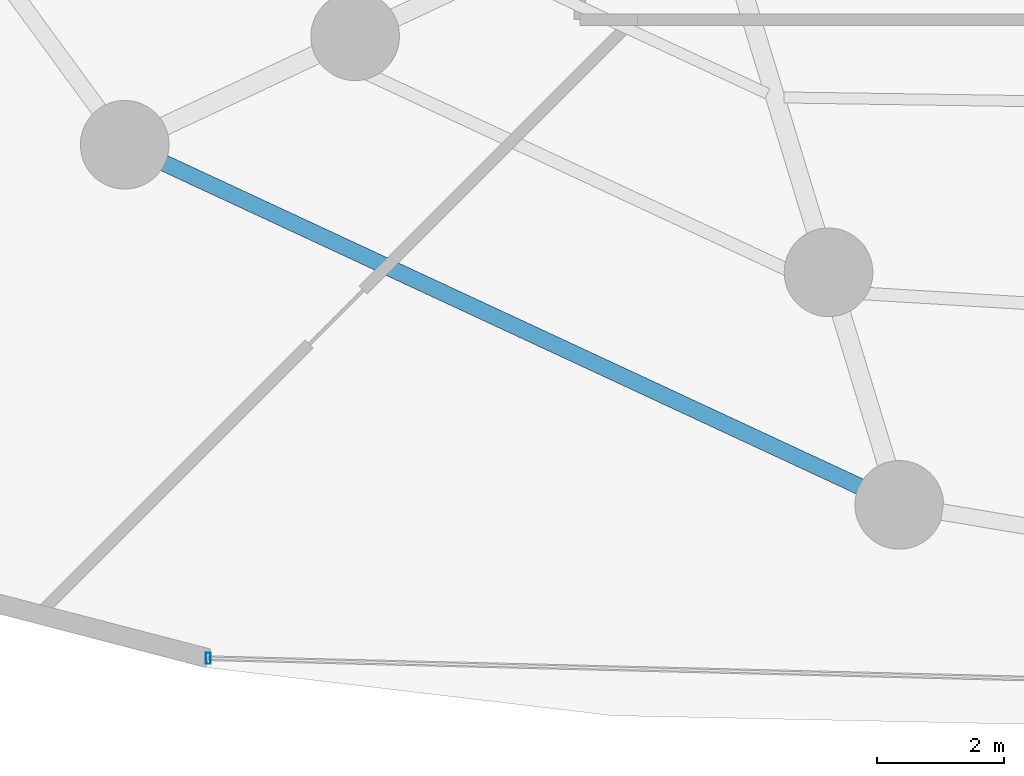
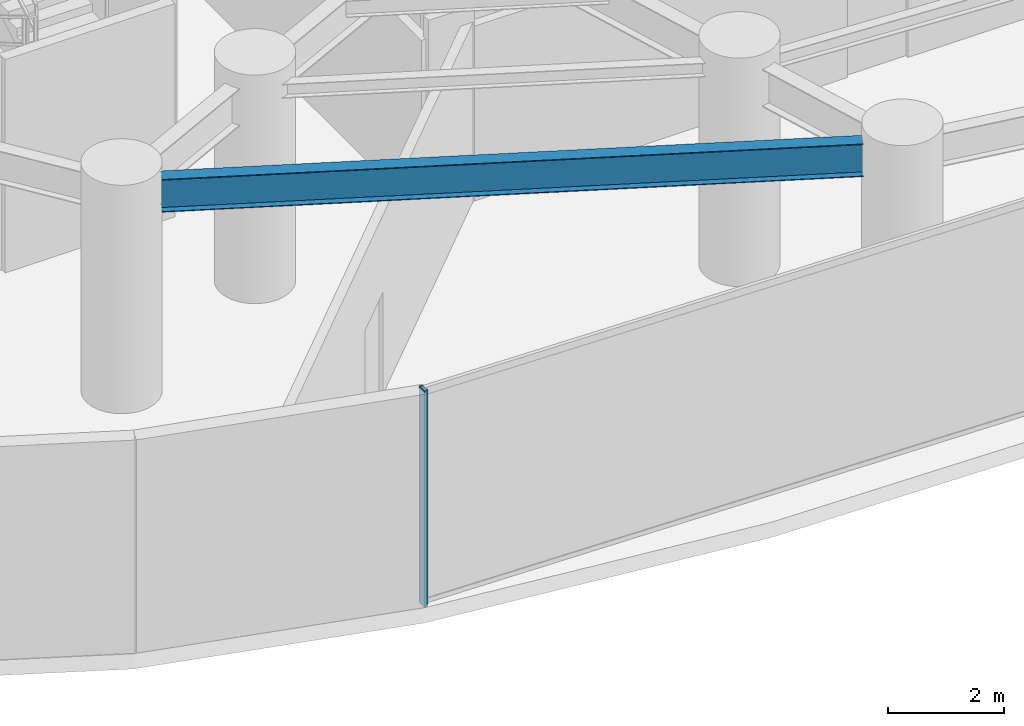
# One storey, part 4 of 26: 1 beam, 1 member, 1 element without a shape of its own.
"""IFC4 building model written with IfcOpenShell, lengths in metres."""

from ifc_helpers import new_model, si_unit, direction, frame, origin, origin_2d, place, context, subcontext, project, spatial, hollow_rectangle, i_section, extrude, material, material_profile, profile_set, type_object, element, aggregate, save


model = new_model("IFC4")

# Units and contexts
model_context = context("Model", 3, precision=1e-05, world=origin(), true_north=direction((0.0, 1.0)))
body_context = subcontext(model_context, "Body", "Model", "MODEL_VIEW")
ifc_project = project(units=[si_unit("LENGTHUNIT", "METRE"), si_unit("AREAUNIT", "SQUARE_METRE"), si_unit("VOLUMEUNIT", "CUBIC_METRE"), si_unit("PLANEANGLEUNIT", "RADIAN"), si_unit("MASSUNIT", "GRAM", prefix="KILO")], contexts=[model_context])

# Site, building, storey
site_placement = place(None, origin())
site = spatial("IfcSite", under=ifc_project, at=site_placement, CompositionType="ELEMENT")
building_placement = place(site_placement, origin())
building = spatial("IfcBuilding", under=site, at=building_placement, Name="Vorneva Point Tower", CompositionType="ELEMENT")
storey_placement = place(building_placement, frame((0.0, 0.0, 14.39990234375)))
storey = spatial("IfcBuildingStorey", under=building, at=storey_placement, Name="L03", CompositionType="ELEMENT", Elevation=14.39990234375)

# Beam
ifc_material_1 = material(Name="Steel S355", Category="steel")
ifc_material_profile_1 = material_profile(ifc_material_1, i_section(OverallWidth=0.260009765625, OverallDepth=0.69091796875, WebThickness=0.011962890625, FlangeThickness=0.015380859375, at=origin_2d()), Name="70B1")
ifc_profile_set_1 = profile_set([ifc_material_profile_1], Name="Steel S355")
beam_type = type_object("IfcBeamType", Name="BM-SPN-70B1", PredefinedType="SPANDREL", material=ifc_profile_set_1)
beam_placement = place(storey_placement, frame((18.682373046875, 11.83544921875, 4.134521484375), z_axis=(0.906780557897, -0.421602917234, 0.0), x_axis=(0.421602917234, 0.906780557897, 0.0)))
element("IfcBeam", 1, at=beam_placement, inside=storey, type_object=beam_type, Name="L03 Perimeter Spandrel Ring Beam 11", PredefinedType="SPANDREL", context=body_context, shape_type="SweptSolid", body=[
    extrude(i_section(OverallWidth=0.260009765625, OverallDepth=0.69091796875, WebThickness=0.011962890625, FlangeThickness=0.015380859375, at=origin_2d()), origin(), (0.0, 0.0, 1.0), 12.12353515625),
])

# Curtain wall, member
ifc_material_2 = material(Name="Pale anodised aluminium", Category="aluminium")
curtain_wall_type = type_object("IfcCurtainWallType", Name="CW-POD-SYS", PredefinedType="NOTDEFINED", material=ifc_material_2)
curtain_wall_placement = place(storey_placement, origin())
curtain_wall = element("IfcCurtainWall", 2, at=curtain_wall_placement, inside=storey, type_object=curtain_wall_type, Name="L03 Unitised Curtain Wall CW-L03-R04", PredefinedType="NOTDEFINED")
ifc_material_profile_2 = material_profile(ifc_material_2, hollow_rectangle(XDim=0.074951171875, YDim=0.179931640625, WallThickness=0.00390625, at=origin_2d()), Name="AL-MUL 180x75x4")
ifc_profile_set_2 = profile_set([ifc_material_profile_2], Name="Pale anodised aluminium")
member_type = type_object("IfcMemberType", Name="CW-MUL-180", PredefinedType="MULLION", material=ifc_profile_set_2)
member_placement = place(storey_placement, frame((19.3818359375, 4.012939453125, -0.039794921875), z_axis=(0.0, 0.0, 1.0), x_axis=(1.0, 0.0, 0.0)))
member = element("IfcMember", 3, at=member_placement, type_object=member_type, Name="CW-L03-R04 Mullion 01", PredefinedType="MULLION", context=body_context, shape_type="SweptSolid", body=[
    extrude(hollow_rectangle(XDim=0.074951171875, YDim=0.179931640625, WallThickness=0.00390625, at=origin_2d()), origin(), (0.0, 0.0, 1.0), 4.5498046875),
])
aggregate(curtain_wall, [member])

save(model, "model.ifc")
